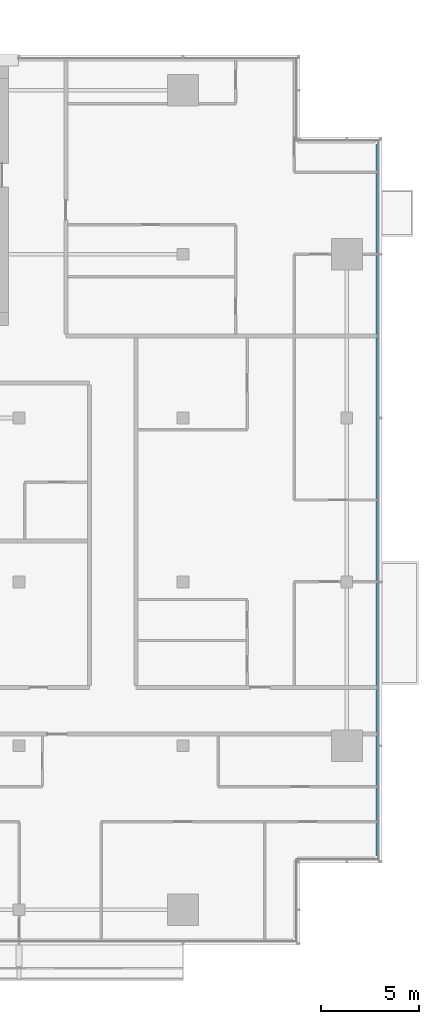
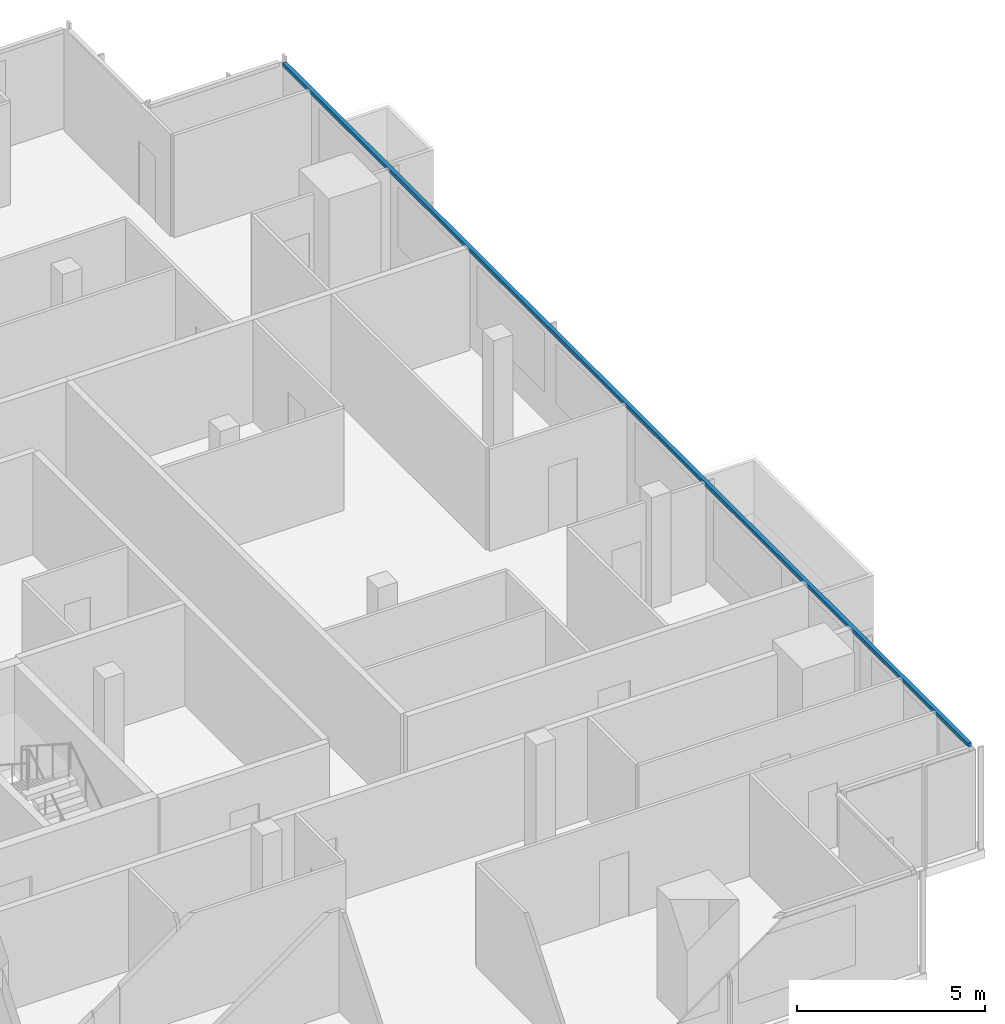
# One storey, part 12 of 27: 1 member, 1 element without a shape of its own.
"""IFC4 building model written with IfcOpenShell, lengths in metres."""

from ifc_helpers import new_model, si_unit, direction, frame, origin, origin_2d, place, context, subcontext, project, spatial, rectangle, extrude, material, material_profile, profile_set, type_object, element, aggregate, save


model = new_model("IFC4")

# Units and contexts
model_context = context("Model", 3, precision=1e-05, world=origin(), true_north=direction((0.0, 1.0)))
body_context = subcontext(model_context, "Body", "Model", "MODEL_VIEW")
ifc_project = project(units=[si_unit("LENGTHUNIT", "METRE"), si_unit("AREAUNIT", "SQUARE_METRE"), si_unit("VOLUMEUNIT", "CUBIC_METRE"), si_unit("PLANEANGLEUNIT", "RADIAN"), si_unit("MASSUNIT", "GRAM", prefix="KILO")], contexts=[model_context])

# Site, building, storey
site_placement = place(None, origin())
site = spatial("IfcSite", under=ifc_project, at=site_placement, CompositionType="ELEMENT")
building_placement = place(site_placement, origin())
building = spatial("IfcBuilding", under=site, at=building_placement, Name="Saffron Gate Tower", CompositionType="ELEMENT")
storey_placement = place(building_placement, frame((0.0, 0.0, 234.300048828125)))
storey = spatial("IfcBuildingStorey", under=building, at=storey_placement, Name="L57", CompositionType="ELEMENT", Elevation=234.300048828125)

# Curtain wall, member
ifc_material = material(Name="Aluminium, bronze anodised", Category="aluminium")
curtain_wall_type = type_object("IfcCurtainWallType", Name="CWS2 curtain wall side facades", PredefinedType="NOTDEFINED", material=ifc_material)
curtain_wall_placement = place(storey_placement, origin())
curtain_wall = element("IfcCurtainWall", 1, at=curtain_wall_placement, inside=storey, type_object=curtain_wall_type, Name="CWS2 run 4", PredefinedType="NOTDEFINED")
ifc_material_profile = material_profile(ifc_material, rectangle(XDim=0.1201171875, YDim=0.1201171875, at=origin_2d()))
ifc_profile_set = profile_set([ifc_material_profile], Name="Aluminium, bronze anodised")
member_type = type_object("IfcMemberType", Name="CWS2 head transom", PredefinedType="USERDEFINED", material=ifc_profile_set)
member_placement = place(storey_placement, frame((126.951904296875, 34.568115234375, 3.260009765625), z_axis=(0.0, 1.0, 0.0), x_axis=(-1.0, 0.0, 0.0)))
member = element("IfcMember", 2, at=member_placement, type_object=member_type, Name="CWS2 head transom", ObjectType="TRANSOM", PredefinedType="USERDEFINED", context=body_context, shape_type="SweptSolid", body=[
    extrude(rectangle(XDim=0.1201171875, YDim=0.1201171875, at=origin_2d()), origin(), (0.0, 0.0, 1.0), 36.4638671875),
])
aggregate(curtain_wall, [member])

save(model, "model.ifc")
